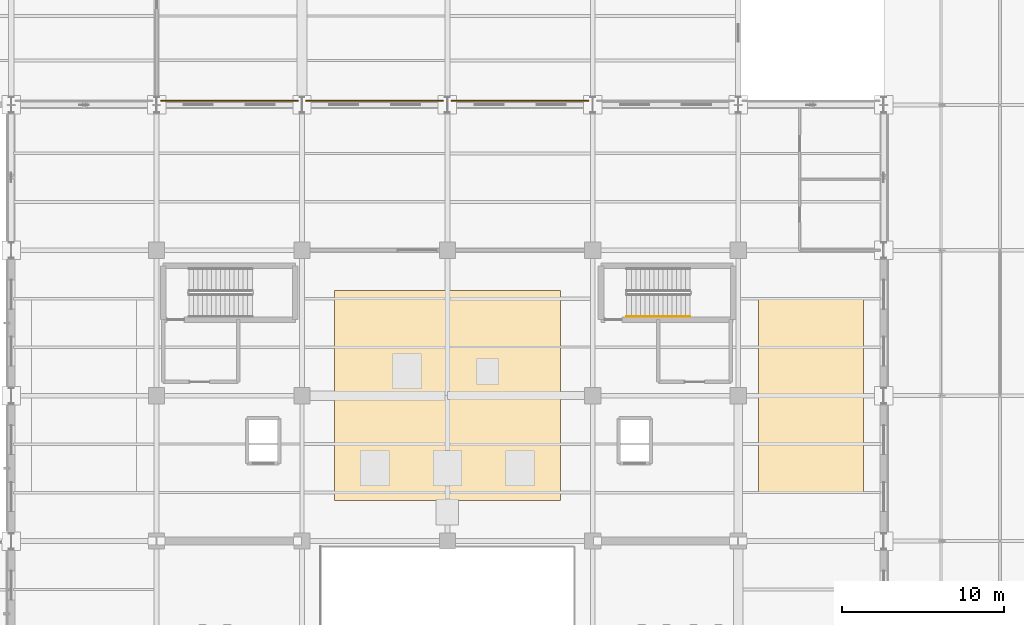
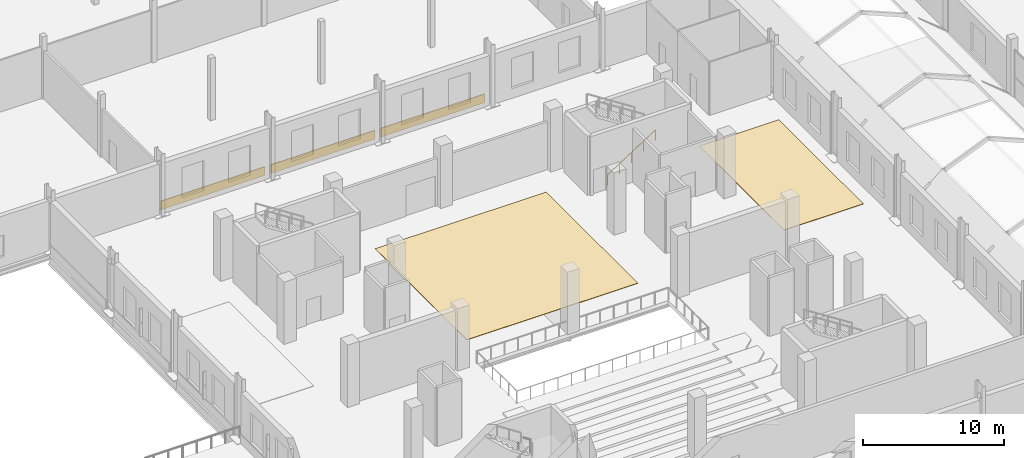
# One storey, part 136 of 141: 5 coverings, 1 railing.
"""IFC4 building model written with IfcOpenShell, lengths in metres."""

from ifc_helpers import new_model, si_unit, direction, frame, origin, origin_2d, place, context, subcontext, project, spatial, rectangle, circle, extrude, material, layer, layer_set, type_object, element, save


model = new_model("IFC4")

# Units and contexts
model_context = context("Model", 3, precision=1e-05, world=origin(), true_north=direction((0.0, 1.0)))
body_context = subcontext(model_context, "Body", "Model", "MODEL_VIEW")
ifc_project = project(units=[si_unit("LENGTHUNIT", "METRE"), si_unit("AREAUNIT", "SQUARE_METRE"), si_unit("VOLUMEUNIT", "CUBIC_METRE"), si_unit("PLANEANGLEUNIT", "RADIAN"), si_unit("MASSUNIT", "GRAM", prefix="KILO")], contexts=[model_context])

# Site, building, storey
site_placement = place(None, origin())
site = spatial("IfcSite", under=ifc_project, at=site_placement, CompositionType="ELEMENT")
building_placement = place(site_placement, origin())
building = spatial("IfcBuilding", under=site, at=building_placement, Name="Sundgate Opera House", CompositionType="ELEMENT")
storey_placement = place(building_placement, frame((0.0, 0.0, 11.39990234375)))
storey = spatial("IfcBuildingStorey", under=building, at=storey_placement, Name="L02", CompositionType="ELEMENT", Elevation=11.39990234375)

# Coverings
ifc_material_1 = material(Name="Sprung European oak stage and ballet floor", Category="wood")
ifc_layer_1 = layer(ifc_material_1, 0.030029296875)
ifc_layer_set_1 = layer_set([ifc_layer_1], Name="Sprung European oak stage and ballet floor")
covering_type_1 = type_object("IfcCoveringType", Name="CV-FLR-SPRUNG", PredefinedType="FLOORING", material=ifc_layer_set_1)
covering_1_placement = place(storey_placement, frame((54.0, 69.0, 0.0), z_axis=(0.0, 0.0, 1.0), x_axis=(1.0, 0.0, 0.0)))
element("IfcCovering", 1, at=covering_1_placement, inside=storey, type_object=covering_type_1, Name="L02 Floor Finish CV0140", PredefinedType="FLOORING", context=body_context, shape_type="SweptSolid", body=[
    extrude(rectangle(XDim=14.0, YDim=13.0, at=origin_2d()), origin(), (0.0, 0.0, 1.0), 0.030029296875),
])
covering_2_placement = place(storey_placement, frame((76.5, 69.0, 0.0), z_axis=(0.0, 0.0, 1.0), x_axis=(1.0, 0.0, 0.0)))
element("IfcCovering", 2, at=covering_2_placement, inside=storey, type_object=covering_type_1, Name="L02 Floor Finish CV0142", PredefinedType="FLOORING", context=body_context, shape_type="SweptSolid", body=[
    extrude(rectangle(XDim=6.5, YDim=12.0, at=origin_2d()), origin(), (0.0, 0.0, 1.0), 0.030029296875),
])
ifc_material_2 = material(Name="Deep-carved Komstad limestone relief panel", Category="masonry")
ifc_layer_2 = layer(ifc_material_2, 0.094970703125)
ifc_layer_set_2 = layer_set([ifc_layer_2], Name="Deep-carved Komstad limestone relief panel")
covering_type_2 = type_object("IfcCoveringType", Name="CV-TRENC-DEEP", PredefinedType="CLADDING", material=ifc_layer_set_2)
covering_3_placement = place(storey_placement, frame((40.5, 87.257568359375, 0.045166015625), z_axis=(0.0, 0.0, 1.0), x_axis=(1.0, 0.0, 0.0)))
element("IfcCovering", 3, at=covering_3_placement, inside=storey, type_object=covering_type_2, Name="L02 Trencadis 750mm Relief Band CV0004", PredefinedType="CLADDING", context=body_context, shape_type="SweptSolid", body=[
    extrude(rectangle(XDim=8.510009765625, YDim=0.074951171875, at=origin_2d()), origin(), (0.0, 0.0, 1.0), 0.75),
])
ifc_material_3 = material(Name="Frost-proof vitrified stoneware trencadis relief tile", Category="masonry")
ifc_layer_3 = layer(ifc_material_3, 0.074951171875)
ifc_layer_set_3 = layer_set([ifc_layer_3], Name="Frost-proof vitrified stoneware trencadis relief tile")
covering_type_3 = type_object("IfcCoveringType", Name="CV-TRENC-RELIEF", PredefinedType="CLADDING", material=ifc_layer_set_3)
covering_4_placement = place(storey_placement, frame((58.5, 87.257568359375, 0.045166015625), z_axis=(0.0, 0.0, 1.0), x_axis=(1.0, 0.0, 0.0)))
element("IfcCovering", 4, at=covering_4_placement, inside=storey, type_object=covering_type_3, Name="L02 Trencadis 750mm Relief Band CV0008", PredefinedType="CLADDING", context=body_context, shape_type="SweptSolid", body=[
    extrude(rectangle(XDim=8.510009765625, YDim=0.074951171875, at=origin_2d()), origin(), (0.0, 0.0, 1.0), 0.75),
])
ifc_material_4 = material(Name="Polychrome trencadis mosaic panel", Category="masonry")
ifc_layer_4 = layer(ifc_material_4, 0.054931640625)
ifc_layer_set_4 = layer_set([ifc_layer_4], Name="Polychrome trencadis mosaic panel")
covering_type_4 = type_object("IfcCoveringType", Name="CV-TRENC-SLIM", PredefinedType="CLADDING", material=ifc_layer_set_4)
covering_5_placement = place(storey_placement, frame((49.5, 87.257568359375, 0.045166015625), z_axis=(0.0, 0.0, 1.0), x_axis=(1.0, 0.0, 0.0)))
element("IfcCovering", 5, at=covering_5_placement, inside=storey, type_object=covering_type_4, Name="L02 Trencadis 750mm Relief Band CV0006", PredefinedType="CLADDING", context=body_context, shape_type="SweptSolid", body=[
    extrude(rectangle(XDim=8.510009765625, YDim=0.074951171875, at=origin_2d()), origin(), (0.0, 0.0, 1.0), 0.75),
])

# Railing
ifc_material_5 = material(Name="Brushed stainless steel handrail", Category="steel")
railing_type = type_object("IfcRailingType", Name="RL-STAIR-HAND-900", PredefinedType="HANDRAIL", material=ifc_material_5)
railing_placement = place(storey_placement, frame((65.10009765625, 73.89990234375, 0.18017578125)))
element("IfcRailing", 6, at=railing_placement, inside=storey, type_object=railing_type, Name="ST04L02 Handrail RL0155", PredefinedType="HANDRAIL", context=body_context, shape_type="SweptSolid", body=[
    extrude(circle(Radius=0.02392578125, at=origin_2d()), frame((0.0, 0.0, 0.8759765625), z_axis=(0.841171666519, 0.0, 0.540768182723), x_axis=(0.0, 1.0, 0.0)), (0.0, 0.0, 1.0), 4.66015625),
    extrude(circle(Radius=0.02099609375, at=origin_2d()), origin(), (0.0, 0.0, 1.0), 0.851806640625),
    extrude(circle(Radius=0.02099609375, at=origin_2d()), frame((0.97998046875, 0.0, 0.6298828125)), (0.0, 0.0, 1.0), 0.851806640625),
    extrude(circle(Radius=0.02099609375, at=origin_2d()), frame((1.9599609375, 0.0, 1.260009765625)), (0.0, 0.0, 1.0), 0.851806640625),
    extrude(circle(Radius=0.02099609375, at=origin_2d()), frame((2.93994140625, 0.0, 1.89013671875)), (0.0, 0.0, 1.0), 0.851806640625),
    extrude(circle(Radius=0.02099609375, at=origin_2d()), frame((3.919921875, 0.0, 2.52001953125)), (0.0, 0.0, 1.0), 0.851806640625),
])

save(model, "model.ifc")
